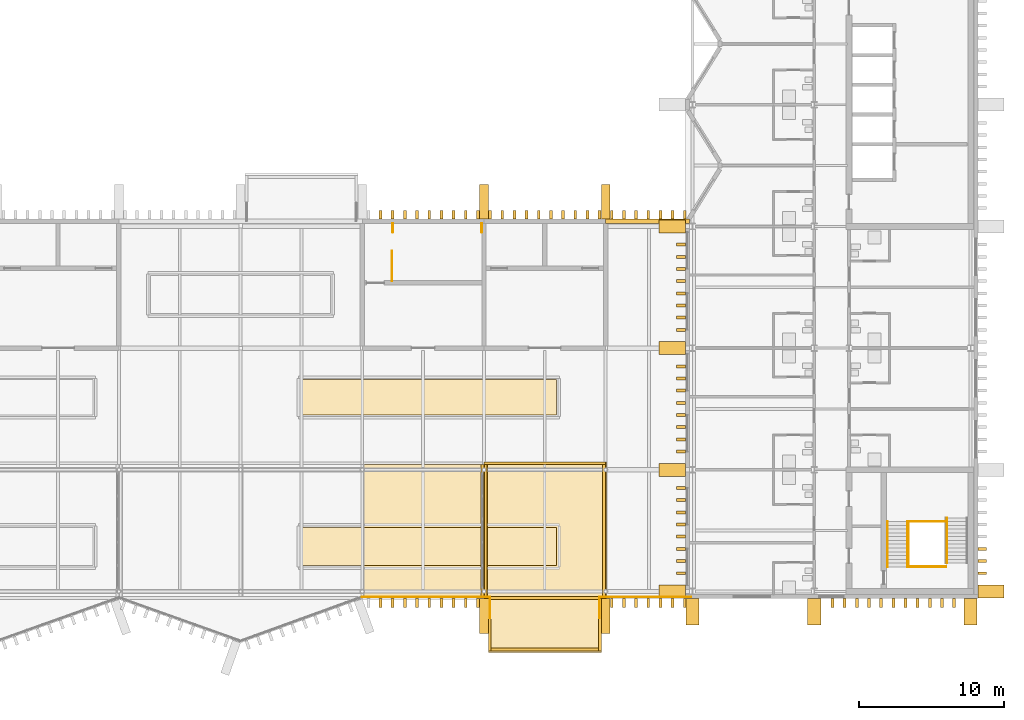
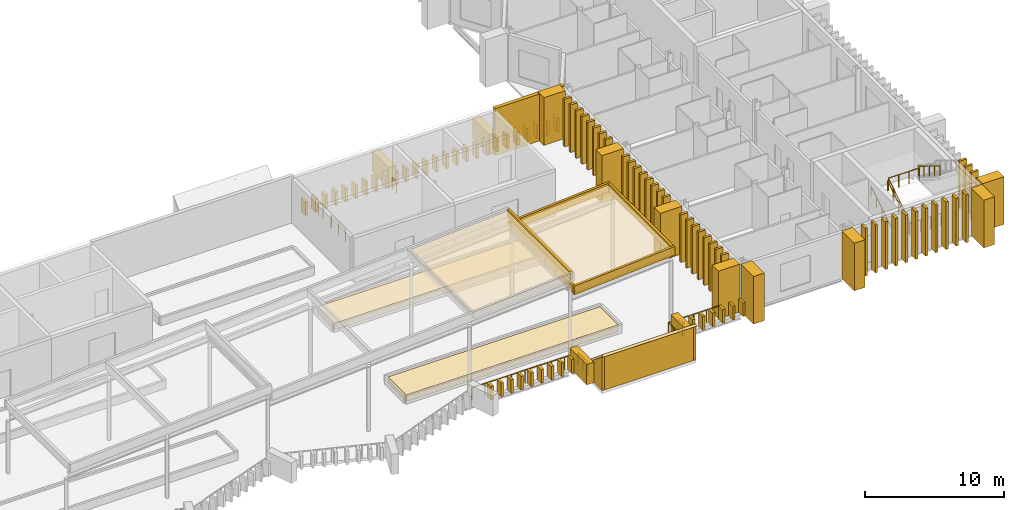
# One storey, part 49 of 51: 106 coverings, 13 railings.
"""IFC4 building model written with IfcOpenShell, lengths in metres."""

from ifc_helpers import new_model, si_unit, direction, frame, origin, origin_2d, place, context, subcontext, project, spatial, polyline, rectangle, circle, outline, extrude, material, layer, layer_set, type_object, element, save


model = new_model("IFC4")

# Units and contexts
model_context = context("Model", 3, precision=1e-05, world=origin(), true_north=direction((0.0, 1.0)))
body_context = subcontext(model_context, "Body", "Model", "MODEL_VIEW")
ifc_project = project(units=[si_unit("LENGTHUNIT", "METRE"), si_unit("AREAUNIT", "SQUARE_METRE"), si_unit("VOLUMEUNIT", "CUBIC_METRE"), si_unit("PLANEANGLEUNIT", "RADIAN"), si_unit("MASSUNIT", "GRAM", prefix="KILO")], contexts=[model_context])

# Site, building, storey
site_placement = place(None, origin())
site = spatial("IfcSite", under=ifc_project, at=site_placement, CompositionType="ELEMENT")
building_placement = place(site_placement, origin())
building = spatial("IfcBuilding", under=site, at=building_placement, Name="Cresset Court Congress Hotel", CompositionType="ELEMENT")
storey_placement = place(building_placement, frame((0.0, 0.0, 18.60009765625)))
storey = spatial("IfcBuildingStorey", under=building, at=storey_placement, Name="L04", CompositionType="ELEMENT", Elevation=18.60009765625)

# Railings
ifc_material_1 = material(Name="Steel and laminated glass", Category="steel")
railing_type_1 = type_object("IfcRailingType", Name="Guard 1100 steel and glass", PredefinedType="GUARDRAIL", material=ifc_material_1)
for number, where, name in (
    (1, (142.64990234375, 24.800048828125, 0.0), "Roof stair well guard 9"),
    (2, (136.500732421875, 24.800048828125, 0.0), "Roof stair well guard 10"),
):
    element("IfcRailing", number, at=place(storey_placement, frame(where)), inside=storey, type_object=railing_type_1, Name=name, PredefinedType="GUARDRAIL", context=body_context, shape_type="SweptSolid", body=[
        extrude(circle(Radius=0.02392578125, at=origin_2d()), frame((0.0, 0.0, 1.076171875), z_axis=(0.0, 1.0, 0.0), x_axis=(-1.0, 0.0, 0.0)), (0.0, 0.0, 1.0), 0.599853515625),
        extrude(circle(Radius=0.02099609375, at=origin_2d()), origin(), (0.0, 0.0, 1.0), 1.052001953125),
        extrude(circle(Radius=0.02099609375, at=origin_2d()), frame((0.0, 0.599853515625, 0.0)), (0.0, 0.0, 1.0), 1.052001953125),
    ])
railing_1_placement = place(storey_placement, frame((136.449951171875, 21.449951171875, 0.0)))
element("IfcRailing", 3, at=railing_1_placement, inside=storey, type_object=railing_type_1, Name="L04 ST-B5 top well guard 1", PredefinedType="GUARDRAIL", context=body_context, shape_type="SweptSolid", body=[
    extrude(circle(Radius=0.02392578125, at=origin_2d()), frame((0.0, 0.0, 1.076171875), z_axis=(0.0, 1.0, 0.0), x_axis=(-1.0, 0.0, 0.0)), (0.0, 0.0, 1.0), 2.050048828125),
    extrude(circle(Radius=0.02099609375, at=origin_2d()), origin(), (0.0, 0.0, 1.0), 1.052001953125),
    extrude(circle(Radius=0.02099609375, at=origin_2d()), frame((0.0, 1.02490234375, 0.0)), (0.0, 0.0, 1.0), 1.052001953125),
    extrude(circle(Radius=0.02099609375, at=origin_2d()), frame((0.0, 2.050048828125, 0.0)), (0.0, 0.0, 1.0), 1.052001953125),
])
ifc_material_2 = material(Name="Steel and laminated glass", Category="steel")
railing_type_2 = type_object("IfcRailingType", Name="Guard 1100 steel and glass external", PredefinedType="GUARDRAIL", material=ifc_material_2)
railing_2_placement = place(storey_placement, frame((143.219970703125, -1.820068359375, 0.0)))
element("IfcRailing", 4, at=railing_2_placement, inside=storey, type_object=railing_type_2, Name="Roof garden guard 1", PredefinedType="GUARDRAIL", context=body_context, shape_type="SweptSolid", body=[
    extrude(circle(Radius=0.02392578125, at=origin_2d()), frame((0.0, 0.0, 1.076171875), z_axis=(0.0, 1.0, 0.0), x_axis=(-1.0, 0.0, 0.0)), (0.0, 0.0, 1.0), 1.440185546875),
    extrude(circle(Radius=0.02099609375, at=origin_2d()), origin(), (0.0, 0.0, 1.0), 1.052001953125),
    extrude(circle(Radius=0.02099609375, at=origin_2d()), frame((0.0, 0.72021484375, 0.0)), (0.0, 0.0, 1.0), 1.052001953125),
    extrude(circle(Radius=0.02099609375, at=origin_2d()), frame((0.0, 1.440185546875, 0.0)), (0.0, 0.0, 1.0), 1.052001953125),
])
railing_3_placement = place(storey_placement, frame((134.37890625, -0.3798828125, 0.0)))
element("IfcRailing", 5, at=railing_3_placement, inside=storey, type_object=railing_type_2, Name="Roof garden guard 2", PredefinedType="GUARDRAIL", context=body_context, shape_type="SweptSolid", body=[
    extrude(circle(Radius=0.02392578125, at=origin_2d()), frame((0.0, 0.0, 1.076171875), z_axis=(1.0, 0.0, 0.0), x_axis=(0.0, 1.0, 0.0)), (0.0, 0.0, 1.0), 8.841064453125),
    extrude(circle(Radius=0.02099609375, at=origin_2d()), origin(), (0.0, 0.0, 1.0), 1.052001953125),
    extrude(circle(Radius=0.02099609375, at=origin_2d()), frame((1.105224609375, 0.0, 0.0)), (0.0, 0.0, 1.0), 1.052001953125),
    extrude(circle(Radius=0.02099609375, at=origin_2d()), frame((2.210205078125, 0.0, 0.0)), (0.0, 0.0, 1.0), 1.052001953125),
    extrude(circle(Radius=0.02099609375, at=origin_2d()), frame((3.3154296875, 0.0, 0.0)), (0.0, 0.0, 1.0), 1.052001953125),
    extrude(circle(Radius=0.02099609375, at=origin_2d()), frame((4.42041015625, 0.0, 0.0)), (0.0, 0.0, 1.0), 1.052001953125),
    extrude(circle(Radius=0.02099609375, at=origin_2d()), frame((5.525634765625, 0.0, 0.0)), (0.0, 0.0, 1.0), 1.052001953125),
    extrude(circle(Radius=0.02099609375, at=origin_2d()), frame((6.630859375, 0.0, 0.0)), (0.0, 0.0, 1.0), 1.052001953125),
    extrude(circle(Radius=0.02099609375, at=origin_2d()), frame((7.73583984375, 0.0, 0.0)), (0.0, 0.0, 1.0), 1.052001953125),
    extrude(circle(Radius=0.02099609375, at=origin_2d()), frame((8.841064453125, 0.0, 0.0)), (0.0, 0.0, 1.0), 1.052001953125),
])
railing_4_placement = place(storey_placement, frame((150.780029296875, -0.3798828125, 0.0)))
element("IfcRailing", 6, at=railing_4_placement, inside=storey, type_object=railing_type_2, Name="Roof garden guard 25", PredefinedType="GUARDRAIL", context=body_context, shape_type="SweptSolid", body=[
    extrude(circle(Radius=0.02392578125, at=origin_2d()), frame((0.0, 0.0, 1.076171875), z_axis=(1.0, 0.0, 0.0), x_axis=(0.0, 1.0, 0.0)), (0.0, 0.0, 1.0), 6.300048828125),
    extrude(circle(Radius=0.02099609375, at=origin_2d()), origin(), (0.0, 0.0, 1.0), 1.052001953125),
    extrude(circle(Radius=0.02099609375, at=origin_2d()), frame((1.050048828125, 0.0, 0.0)), (0.0, 0.0, 1.0), 1.052001953125),
    extrude(circle(Radius=0.02099609375, at=origin_2d()), frame((2.10009765625, 0.0, 0.0)), (0.0, 0.0, 1.0), 1.052001953125),
    extrude(circle(Radius=0.02099609375, at=origin_2d()), frame((3.14990234375, 0.0, 0.0)), (0.0, 0.0, 1.0), 1.052001953125),
    extrude(circle(Radius=0.02099609375, at=origin_2d()), frame((4.199951171875, 0.0, 0.0)), (0.0, 0.0, 1.0), 1.052001953125),
    extrude(circle(Radius=0.02099609375, at=origin_2d()), frame((5.25, 0.0, 0.0)), (0.0, 0.0, 1.0), 1.052001953125),
    extrude(circle(Radius=0.02099609375, at=origin_2d()), frame((6.300048828125, 0.0, 0.0)), (0.0, 0.0, 1.0), 1.052001953125),
])
railing_5_placement = place(storey_placement, frame((150.780029296875, -1.820068359375, 0.0)))
element("IfcRailing", 7, at=railing_5_placement, inside=storey, type_object=railing_type_2, Name="Roof garden guard 26", PredefinedType="GUARDRAIL", context=body_context, shape_type="SweptSolid", body=[
    extrude(circle(Radius=0.02392578125, at=origin_2d()), frame((0.0, 0.0, 1.076171875), z_axis=(0.0, 1.0, 0.0), x_axis=(-1.0, 0.0, 0.0)), (0.0, 0.0, 1.0), 1.440185546875),
    extrude(circle(Radius=0.02099609375, at=origin_2d()), origin(), (0.0, 0.0, 1.0), 1.052001953125),
    extrude(circle(Radius=0.02099609375, at=origin_2d()), frame((0.0, 0.72021484375, 0.0)), (0.0, 0.0, 1.0), 1.052001953125),
    extrude(circle(Radius=0.02099609375, at=origin_2d()), frame((0.0, 1.440185546875, 0.0)), (0.0, 0.0, 1.0), 1.052001953125),
])

# Coverings
ifc_material_3 = material(Name="Concrete C50", Category="concrete")
ifc_layer_1 = layer(ifc_material_3, 0.199951171875)
ifc_layer_set_1 = layer_set([ifc_layer_1], Name="Planter edge 200 precast")
covering_type_1 = type_object("IfcCoveringType", Name="Planter edge 200 precast", PredefinedType="USERDEFINED", material=ifc_layer_set_1)
covering_1_placement = place(storey_placement, frame((142.60009765625, -0.35009765625, 8.39990234375), z_axis=(-0.069429123991, 0.0, 0.997586886813), x_axis=(0.997586886813, 0.0, 0.069429123991)))
element("IfcCovering", 8, at=covering_1_placement, inside=storey, type_object=covering_type_1, Name="Planter edge plate 5 line 4", ObjectType="PLANTER EDGE", PredefinedType="USERDEFINED", context=body_context, shape_type="SweptSolid", body=[
    extrude(outline(polyline([(0.0, 0.0), (0.2004348438397402, 0.0), (0.2004348438397402, 9.10009765625), (0.0, 9.10009765625), (0.0, 0.0)])), origin(), (0.0, 0.0, -1.0), 0.75),
])
for number, where, z_axis, x_axis, name in (
    (9, (142.800048828125, -0.550048828125, 7.14990234375), (-0.069817009688, 0.0, 0.997559815329), (0.997559815329, 0.0, 0.069817009688), "Planter edge plate 6 S"),
    (10, (142.800048828125, 8.75, 7.14990234375), (-0.069817009688, 0.0, 0.997559815329), (0.997559815329, 0.0, 0.069817009688), "Planter edge plate 6 N"),
):
    element("IfcCovering", number, at=place(storey_placement, frame(where, z_axis=z_axis, x_axis=x_axis)), inside=storey, type_object=covering_type_1, Name=name, ObjectType="PLANTER EDGE", PredefinedType="USERDEFINED", context=body_context, shape_type="SweptSolid", body=[
        extrude(outline(polyline([(0.0, 0.0), (8.420449796269772, 0.0), (8.420449796269772, 0.19995117187499997), (0.0, 0.19995117187499997), (0.0, 0.0)])), origin(), (0.0, 0.0, -1.0), 0.75),
    ])
for number, where, z_axis, x_axis, name in (
    (11, (142.800048828125, -0.35009765625, 7.14990234375), (-0.069429123991, 0.0, 0.997586886813), (0.997586886813, 0.0, 0.069429123991), "Planter edge plate 6 line 1"),
    (12, (151.0, -0.35009765625, 7.723876953125), (-0.069429123991, 0.0, 0.997586886813), (0.997586886813, 0.0, 0.069429123991), "Planter edge plate 6 line 2"),
):
    element("IfcCovering", number, at=place(storey_placement, frame(where, z_axis=z_axis, x_axis=x_axis)), inside=storey, type_object=covering_type_1, Name=name, ObjectType="PLANTER EDGE", PredefinedType="USERDEFINED", context=body_context, shape_type="SweptSolid", body=[
        extrude(outline(polyline([(0.0, 0.0), (0.2004348438397402, 0.0), (0.2004348438397402, 9.10009765625), (0.0, 9.10009765625), (0.0, 0.0)])), origin(), (0.0, 0.0, -1.0), 0.75),
    ])
ifc_material_4 = material(Name="Planting soil")
ifc_layer_2 = layer(ifc_material_4, 0.60009765625)
ifc_layer_set_2 = layer_set([ifc_layer_2], Name="Planter soil bed 600")
covering_type_2 = type_object("IfcCoveringType", Name="Planter soil bed 600", PredefinedType="FLOORING", material=ifc_layer_set_2)
covering_2_placement = place(storey_placement, frame((134.5, -0.35009765625, 7.682861328125), z_axis=(-0.069845284619, 0.0, 0.997557836026), x_axis=(0.997557836026, 0.0, 0.069845284619)))
element("IfcCovering", 13, at=covering_2_placement, inside=storey, type_object=covering_type_2, Name="Planting bed plate 5 bay 3", PredefinedType="FLOORING", context=body_context, shape_type="SweptSolid", body=[
    extrude(outline(polyline([(0.0, 0.0), (8.11992785152201, 0.0), (8.11992785152201, 9.100097656250002), (0.0, 9.100097656250002), (0.0, 0.0)])), origin(), (0.0, 0.0, -1.0), 0.60009765625),
])
covering_3_placement = place(storey_placement, frame((143.0, -0.35009765625, 7.013916015625), z_axis=(-0.069836398408, 0.0, 0.997558458165), x_axis=(0.997558458165, 0.0, 0.069836398408)))
element("IfcCovering", 14, at=covering_3_placement, inside=storey, type_object=covering_type_2, Name="Planting bed plate 6 bay 1", PredefinedType="FLOORING", context=body_context, shape_type="SweptSolid", body=[
    extrude(outline(polyline([(0.0, 0.0), (8.019580140408426, 0.0), (8.019580140408426, 9.100097656250002), (0.0, 9.100097656250002), (0.0, 0.0)])), origin(), (0.0, 0.0, -1.0), 0.60009765625),
])
covering_4_placement = place(storey_placement, origin())
element("IfcCovering", 15, at=covering_4_placement, inside=storey, type_object=covering_type_2, Name="Planting bed 4", PredefinedType="FLOORING", context=body_context, shape_type="SweptSolid", body=[
    extrude(outline(polyline([(130.179931640625, 1.780029296875), (147.820068359375, 1.780029296875), (147.820068359375, 4.419921875), (130.179931640625, 4.419921875), (130.179931640625, 1.780029296875)])), origin(), (0.0, 0.0, 1.0), 0.599853515625),
])
covering_5_placement = place(storey_placement, origin())
element("IfcCovering", 16, at=covering_5_placement, inside=storey, type_object=covering_type_2, Name="Planting bed 8", PredefinedType="FLOORING", context=body_context, shape_type="SweptSolid", body=[
    extrude(outline(polyline([(130.179931640625, 12.179931640625), (147.820068359375, 12.179931640625), (147.820068359375, 14.6201171875), (130.179931640625, 14.6201171875), (130.179931640625, 12.179931640625)])), origin(), (0.0, 0.0, 1.0), 0.599853515625),
])
ifc_material_5 = material(Name="Precast concrete C50", Category="concrete")
covering_type_3 = type_object("IfcCoveringType", Name="Precast stone fin 200x600", PredefinedType="CLADDING", material=ifc_material_5)
for number, where, z_axis, x_axis, name in (
    (17, (177.199951171875, 1.260009765625, 0.0), (0.0, 0.0, 1.0), (1.0, 0.0, 0.0), "Fin E002"),
    (18, (177.199951171875, 2.10009765625, 0.0), (0.0, 0.0, 1.0), (1.0, 0.0, 0.0), "Fin E003"),
    (19, (177.199951171875, 2.93994140625, 0.0), (0.0, 0.0, 1.0), (1.0, 0.0, 0.0), "Fin E004"),
    (20, (156.39990234375, 1.260009765625, 0.0), (0.0, 0.0, 1.0), (1.0, 0.0, 0.0), "Fin W002"),
    (21, (156.39990234375, 2.10009765625, 0.0), (0.0, 0.0, 1.0), (1.0, 0.0, 0.0), "Fin W003"),
    (22, (156.39990234375, 2.93994140625, 0.0), (0.0, 0.0, 1.0), (1.0, 0.0, 0.0), "Fin W004"),
    (23, (156.39990234375, 3.780029296875, 0.0), (0.0, 0.0, 1.0), (1.0, 0.0, 0.0), "Fin W005"),
    (24, (156.39990234375, 4.6201171875, 0.0), (0.0, 0.0, 1.0), (1.0, 0.0, 0.0), "Fin W006"),
    (25, (156.39990234375, 5.4599609375, 0.0), (0.0, 0.0, 1.0), (1.0, 0.0, 0.0), "Fin W007"),
    (26, (156.39990234375, 6.300048828125, 0.0), (0.0, 0.0, 1.0), (1.0, 0.0, 0.0), "Fin W008"),
    (27, (156.39990234375, 7.139892578125, 0.0), (0.0, 0.0, 1.0), (1.0, 0.0, 0.0), "Fin W009"),
    (28, (156.39990234375, 9.659912109375, 0.0), (0.0, 0.0, 1.0), (1.0, 0.0, 0.0), "Fin W012"),
    (29, (156.39990234375, 10.5, 0.0), (0.0, 0.0, 1.0), (1.0, 0.0, 0.0), "Fin W013"),
    (30, (156.39990234375, 11.340087890625, 0.0), (0.0, 0.0, 1.0), (1.0, 0.0, 0.0), "Fin W014"),
    (31, (156.39990234375, 12.179931640625, 0.0), (0.0, 0.0, 1.0), (1.0, 0.0, 0.0), "Fin W015"),
    (32, (156.39990234375, 13.02001953125, 0.0), (0.0, 0.0, 1.0), (1.0, 0.0, 0.0), "Fin W016"),
    (33, (156.39990234375, 13.860107421875, 0.0), (0.0, 0.0, 1.0), (1.0, 0.0, 0.0), "Fin W017"),
    (34, (156.39990234375, 14.699951171875, 0.0), (0.0, 0.0, 1.0), (1.0, 0.0, 0.0), "Fin W018"),
    (35, (156.39990234375, 15.5400390625, 0.0), (0.0, 0.0, 1.0), (1.0, 0.0, 0.0), "Fin W019"),
    (36, (156.39990234375, 18.06005859375, 0.0), (0.0, 0.0, 1.0), (1.0, 0.0, 0.0), "Fin W022"),
    (37, (156.39990234375, 18.89990234375, 0.0), (0.0, 0.0, 1.0), (1.0, 0.0, 0.0), "Fin W023"),
    (38, (156.39990234375, 19.739990234375, 0.0), (0.0, 0.0, 1.0), (1.0, 0.0, 0.0), "Fin W024"),
    (39, (156.39990234375, 20.580078125, 0.0), (0.0, 0.0, 1.0), (1.0, 0.0, 0.0), "Fin W025"),
    (40, (156.39990234375, 21.419921875, 0.0), (0.0, 0.0, 1.0), (1.0, 0.0, 0.0), "Fin W026"),
    (41, (156.39990234375, 22.260009765625, 0.0), (0.0, 0.0, 1.0), (1.0, 0.0, 0.0), "Fin W027"),
    (42, (156.39990234375, 23.10009765625, 0.0), (0.0, 0.0, 1.0), (1.0, 0.0, 0.0), "Fin W028"),
    (43, (156.39990234375, 23.93994140625, 0.0), (0.0, 0.0, 1.0), (1.0, 0.0, 0.0), "Fin W029"),
):
    element("IfcCovering", number, at=place(storey_placement, frame(where, z_axis=z_axis, x_axis=x_axis)), inside=storey, type_object=covering_type_3, Name=name, PredefinedType="CLADDING", context=body_context, shape_type="SweptSolid", body=[
        extrude(rectangle(XDim=0.60009765625, YDim=0.199951171875, at=origin_2d()), origin(), (0.0, 0.0, 1.0), 4.199951171875),
    ])
for number, where, z_axis, x_axis, name in (
    (44, (166.860107421875, -0.800048828125, 0.0), (0.0, 0.0, 1.0), (1.0, 0.0, 0.0), "Fin S012"),
    (45, (167.699951171875, -0.800048828125, 0.0), (0.0, 0.0, 1.0), (1.0, 0.0, 0.0), "Fin S013"),
    (46, (168.5400390625, -0.800048828125, 0.0), (0.0, 0.0, 1.0), (1.0, 0.0, 0.0), "Fin S014"),
    (47, (169.3798828125, -0.800048828125, 0.0), (0.0, 0.0, 1.0), (1.0, 0.0, 0.0), "Fin S015"),
    (48, (170.219970703125, -0.800048828125, 0.0), (0.0, 0.0, 1.0), (1.0, 0.0, 0.0), "Fin S016"),
    (49, (171.06005859375, -0.800048828125, 0.0), (0.0, 0.0, 1.0), (1.0, 0.0, 0.0), "Fin S017"),
    (50, (171.89990234375, -0.800048828125, 0.0), (0.0, 0.0, 1.0), (1.0, 0.0, 0.0), "Fin S018"),
    (51, (172.739990234375, -0.800048828125, 0.0), (0.0, 0.0, 1.0), (1.0, 0.0, 0.0), "Fin S019"),
    (52, (173.580078125, -0.800048828125, 0.0), (0.0, 0.0, 1.0), (1.0, 0.0, 0.0), "Fin S020"),
    (53, (174.419921875, -0.800048828125, 0.0), (0.0, 0.0, 1.0), (1.0, 0.0, 0.0), "Fin S021"),
    (54, (175.260009765625, -0.800048828125, 0.0), (0.0, 0.0, 1.0), (1.0, 0.0, 0.0), "Fin S022"),
):
    element("IfcCovering", number, at=place(storey_placement, frame(where, z_axis=z_axis, x_axis=x_axis)), inside=storey, type_object=covering_type_3, Name=name, PredefinedType="CLADDING", context=body_context, shape_type="SweptSolid", body=[
        extrude(rectangle(XDim=0.199951171875, YDim=0.60009765625, at=origin_2d()), origin(), (0.0, 0.0, 1.0), 4.199951171875),
    ])
ifc_material_6 = material(Name="Precast concrete C50", Category="concrete")
covering_type_4 = type_object("IfcCoveringType", Name="Precast stone fin 200x600 variant 1", PredefinedType="CLADDING", material=ifc_material_6)
for number, where, z_axis, x_axis, name in (
    (55, (135.659912109375, -0.800048828125, 0.0), (0.0, 0.0, 1.0), (1.0, 0.0, 0.0), "Fin S04-151"),
    (56, (136.5, -0.800048828125, 0.0), (0.0, 0.0, 1.0), (1.0, 0.0, 0.0), "Fin S04-152"),
    (57, (137.340087890625, -0.800048828125, 0.0), (0.0, 0.0, 1.0), (1.0, 0.0, 0.0), "Fin S04-153"),
    (58, (138.179931640625, -0.800048828125, 0.0), (0.0, 0.0, 1.0), (1.0, 0.0, 0.0), "Fin S04-154"),
    (59, (139.02001953125, -0.800048828125, 0.0), (0.0, 0.0, 1.0), (1.0, 0.0, 0.0), "Fin S04-155"),
    (60, (139.860107421875, -0.800048828125, 0.0), (0.0, 0.0, 1.0), (1.0, 0.0, 0.0), "Fin S04-156"),
    (61, (140.699951171875, -0.800048828125, 0.0), (0.0, 0.0, 1.0), (1.0, 0.0, 0.0), "Fin S04-157"),
    (62, (141.5400390625, -0.800048828125, 0.0), (0.0, 0.0, 1.0), (1.0, 0.0, 0.0), "Fin S04-158"),
    (63, (142.3798828125, -0.800048828125, 0.0), (0.0, 0.0, 1.0), (1.0, 0.0, 0.0), "Fin S04-159"),
    (64, (151.6201171875, -0.800048828125, 0.0), (0.0, 0.0, 1.0), (1.0, 0.0, 0.0), "Fin S04-170"),
    (65, (152.4599609375, -0.800048828125, 0.0), (0.0, 0.0, 1.0), (1.0, 0.0, 0.0), "Fin S04-171"),
    (66, (153.300048828125, -0.800048828125, 0.0), (0.0, 0.0, 1.0), (1.0, 0.0, 0.0), "Fin S04-172"),
    (67, (154.139892578125, -0.800048828125, 0.0), (0.0, 0.0, 1.0), (1.0, 0.0, 0.0), "Fin S04-173"),
    (68, (154.97998046875, -0.800048828125, 0.0), (0.0, 0.0, 1.0), (1.0, 0.0, 0.0), "Fin S04-174"),
    (69, (155.820068359375, -0.800048828125, 0.0), (0.0, 0.0, 1.0), (1.0, 0.0, 0.0), "Fin S04-175"),
    (70, (156.659912109375, -0.800048828125, 0.0), (0.0, 0.0, 1.0), (1.0, 0.0, 0.0), "Fin S04-176"),
    (71, (135.659912109375, 26.0, 0.0), (0.0, 0.0, 1.0), (1.0, 0.0, 0.0), "Fin N04-151"),
    (72, (136.5, 26.0, 0.0), (0.0, 0.0, 1.0), (1.0, 0.0, 0.0), "Fin N04-152"),
    (73, (137.340087890625, 26.0, 0.0), (0.0, 0.0, 1.0), (1.0, 0.0, 0.0), "Fin N04-153"),
    (74, (138.179931640625, 26.0, 0.0), (0.0, 0.0, 1.0), (1.0, 0.0, 0.0), "Fin N04-154"),
    (75, (139.02001953125, 26.0, 0.0), (0.0, 0.0, 1.0), (1.0, 0.0, 0.0), "Fin N04-155"),
    (76, (139.860107421875, 26.0, 0.0), (0.0, 0.0, 1.0), (1.0, 0.0, 0.0), "Fin N04-156"),
    (77, (140.699951171875, 26.0, 0.0), (0.0, 0.0, 1.0), (1.0, 0.0, 0.0), "Fin N04-157"),
    (78, (141.5400390625, 26.0, 0.0), (0.0, 0.0, 1.0), (1.0, 0.0, 0.0), "Fin N04-158"),
    (79, (142.3798828125, 26.0, 0.0), (0.0, 0.0, 1.0), (1.0, 0.0, 0.0), "Fin N04-159"),
    (80, (143.219970703125, 26.0, 0.0), (0.0, 0.0, 1.0), (1.0, 0.0, 0.0), "Fin N04-160"),
    (81, (144.06005859375, 26.0, 0.0), (0.0, 0.0, 1.0), (1.0, 0.0, 0.0), "Fin N04-161"),
    (82, (144.89990234375, 26.0, 0.0), (0.0, 0.0, 1.0), (1.0, 0.0, 0.0), "Fin N04-162"),
    (83, (145.739990234375, 26.0, 0.0), (0.0, 0.0, 1.0), (1.0, 0.0, 0.0), "Fin N04-163"),
    (84, (146.580078125, 26.0, 0.0), (0.0, 0.0, 1.0), (1.0, 0.0, 0.0), "Fin N04-164"),
    (85, (147.419921875, 26.0, 0.0), (0.0, 0.0, 1.0), (1.0, 0.0, 0.0), "Fin N04-165"),
    (86, (148.260009765625, 26.0, 0.0), (0.0, 0.0, 1.0), (1.0, 0.0, 0.0), "Fin N04-166"),
    (87, (149.10009765625, 26.0, 0.0), (0.0, 0.0, 1.0), (1.0, 0.0, 0.0), "Fin N04-167"),
    (88, (149.93994140625, 26.0, 0.0), (0.0, 0.0, 1.0), (1.0, 0.0, 0.0), "Fin N04-168"),
    (89, (150.780029296875, 26.0, 0.0), (0.0, 0.0, 1.0), (1.0, 0.0, 0.0), "Fin N04-169"),
    (90, (151.6201171875, 26.0, 0.0), (0.0, 0.0, 1.0), (1.0, 0.0, 0.0), "Fin N04-170"),
    (91, (152.4599609375, 26.0, 0.0), (0.0, 0.0, 1.0), (1.0, 0.0, 0.0), "Fin N04-171"),
    (92, (153.300048828125, 26.0, 0.0), (0.0, 0.0, 1.0), (1.0, 0.0, 0.0), "Fin N04-172"),
    (93, (154.139892578125, 26.0, 0.0), (0.0, 0.0, 1.0), (1.0, 0.0, 0.0), "Fin N04-173"),
    (94, (154.97998046875, 26.0, 0.0), (0.0, 0.0, 1.0), (1.0, 0.0, 0.0), "Fin N04-174"),
    (95, (155.820068359375, 26.0, 0.0), (0.0, 0.0, 1.0), (1.0, 0.0, 0.0), "Fin N04-175"),
    (96, (156.659912109375, 26.0, 0.0), (0.0, 0.0, 1.0), (1.0, 0.0, 0.0), "Fin N04-176"),
):
    element("IfcCovering", number, at=place(storey_placement, frame(where, z_axis=z_axis, x_axis=x_axis)), inside=storey, type_object=covering_type_4, Name=name, PredefinedType="CLADDING", context=body_context, shape_type="SweptSolid", body=[
        extrude(rectangle(XDim=0.199951171875, YDim=0.60009765625, at=origin_2d()), origin(), (0.0, 0.0, 1.0), 1.199951171875),
    ])
ifc_material_7 = material(Name="Precast concrete C50", Category="concrete")
ifc_layer_3 = layer(ifc_material_7, 0.199951171875)
ifc_layer_set_3 = layer_set([ifc_layer_3], Name="Precast stone hood cheek 200")
covering_type_5 = type_object("IfcCoveringType", Name="Precast stone hood cheek 200", PredefinedType="CLADDING", material=ifc_layer_set_3)
for number, where, z_axis, x_axis, name in (
    (97, (143.300048828125, -0.5, 0.0), (1.0, 0.0, 0.0), (0.0, -0.768229820104, 0.640174150918), "Hood cheek S16a"),
    (98, (150.89990234375, -0.5, 0.0), (1.0, 0.0, 0.0), (0.0, -0.768229820104, 0.640174150918), "Hood cheek S16b"),
):
    element("IfcCovering", number, at=place(storey_placement, frame(where, z_axis=z_axis, x_axis=x_axis)), inside=storey, type_object=covering_type_5, Name=name, PredefinedType="CLADDING", context=body_context, shape_type="SweptSolid", body=[
        extrude(outline(polyline([(0.0, 0.0), (4.686224827570349, 0.0), (2.7657023748167964, 2.304689460311189), (0.0, 0.0)])), origin(), (0.0, 0.0, -1.0), 0.199951171875),
    ])
ifc_material_8 = material(Name="Precast concrete C50", Category="concrete")
ifc_layer_4 = layer(ifc_material_8, 0.199951171875)
ifc_layer_set_4 = layer_set([ifc_layer_4], Name="Precast stone hood fascia 200")
covering_type_6 = type_object("IfcCoveringType", Name="Precast stone hood fascia 200", PredefinedType="CLADDING", material=ifc_layer_set_4)
covering_6_placement = place(storey_placement, frame((147.0, -4.0, 0.0), z_axis=(0.0, 0.0, 1.0), x_axis=(1.0, 0.0, 0.0)))
element("IfcCovering", 99, at=covering_6_placement, inside=storey, type_object=covering_type_6, Name="Hood fascia S16", PredefinedType="CLADDING", context=body_context, shape_type="SweptSolid", body=[
    extrude(rectangle(XDim=7.39990234375, YDim=0.199951171875, at=origin_2d()), origin(), (0.0, 0.0, 1.0), 3.0),
])
ifc_material_9 = material(Name="Precast concrete C50", Category="concrete")
covering_type_7 = type_object("IfcCoveringType", Name="Precast stone pier 600x2400", PredefinedType="CLADDING", material=ifc_material_9)
for number, where, z_axis, x_axis, name in (
    (100, (142.800048828125, -1.699951171875, 0.0), (0.0, 0.0, 1.0), (1.0, 0.0, 0.0), "Pier S04-16"),
    (101, (151.199951171875, -1.699951171875, 0.0), (0.0, 0.0, 1.0), (1.0, 0.0, 0.0), "Pier S04-17"),
    (102, (142.800048828125, 26.89990234375, 0.0), (0.0, 0.0, 1.0), (1.0, 0.0, 0.0), "Pier N04-16"),
    (103, (151.199951171875, 26.89990234375, 0.0), (0.0, 0.0, 1.0), (1.0, 0.0, 0.0), "Pier N04-17"),
):
    element("IfcCovering", number, at=place(storey_placement, frame(where, z_axis=z_axis, x_axis=x_axis)), inside=storey, type_object=covering_type_7, Name=name, PredefinedType="CLADDING", context=body_context, shape_type="SweptSolid", body=[
        extrude(rectangle(XDim=0.60009765625, YDim=2.39990234375, at=origin_2d()), origin(), (0.0, 0.0, 1.0), 1.800048828125),
    ])
ifc_material_10 = material(Name="Precast concrete C50", Category="concrete")
covering_type_8 = type_object("IfcCoveringType", Name="Precast stone pier 900x1800", PredefinedType="CLADDING", material=ifc_material_10)
for number, where, z_axis, x_axis, name in (
    (104, (177.800048828125, 0.0, 0.0), (0.0, 0.0, 1.0), (1.0, 0.0, 0.0), "Pier E01"),
    (105, (155.800048828125, 0.0, 0.0), (0.0, 0.0, 1.0), (1.0, 0.0, 0.0), "Pier W01"),
    (106, (155.800048828125, 8.39990234375, 0.0), (0.0, 0.0, 1.0), (1.0, 0.0, 0.0), "Pier W02"),
    (107, (155.800048828125, 16.800048828125, 0.0), (0.0, 0.0, 1.0), (1.0, 0.0, 0.0), "Pier W03"),
    (108, (155.800048828125, 25.199951171875, 0.0), (0.0, 0.0, 1.0), (1.0, 0.0, 0.0), "Pier W04"),
):
    element("IfcCovering", number, at=place(storey_placement, frame(where, z_axis=z_axis, x_axis=x_axis)), inside=storey, type_object=covering_type_8, Name=name, PredefinedType="CLADDING", context=body_context, shape_type="SweptSolid", body=[
        extrude(rectangle(XDim=1.800048828125, YDim=0.89990234375, at=origin_2d()), origin(), (0.0, 0.0, 1.0), 4.199951171875),
    ])
for number, where, z_axis, x_axis, name in (
    (109, (157.199951171875, -1.39990234375, 0.0), (0.0, 0.0, 1.0), (1.0, 0.0, 0.0), "Pier S01"),
    (110, (165.60009765625, -1.39990234375, 0.0), (0.0, 0.0, 1.0), (1.0, 0.0, 0.0), "Pier S02"),
    (111, (176.39990234375, -1.39990234375, 0.0), (0.0, 0.0, 1.0), (1.0, 0.0, 0.0), "Pier S03"),
):
    element("IfcCovering", number, at=place(storey_placement, frame(where, z_axis=z_axis, x_axis=x_axis)), inside=storey, type_object=covering_type_8, Name=name, PredefinedType="CLADDING", context=body_context, shape_type="SweptSolid", body=[
        extrude(rectangle(XDim=0.89990234375, YDim=1.800048828125, at=origin_2d()), origin(), (0.0, 0.0, 1.0), 4.199951171875),
    ])
ifc_material_11 = material(Name="Concrete C50", Category="concrete")
ifc_layer_5 = layer(ifc_material_11, 0.300048828125)
ifc_layer_set_5 = layer_set([ifc_layer_5], Name="Precast stone roof screen 300")
covering_type_9 = type_object("IfcCoveringType", Name="Precast stone roof screen 300", PredefinedType="CLADDING", material=ifc_layer_set_5)
covering_7_placement = place(storey_placement, frame((154.10009765625, 25.550048828125, 0.0), z_axis=(0.0, 0.0, 1.0), x_axis=(1.0, 0.0, 0.0)))
element("IfcCovering", 112, at=covering_7_placement, inside=storey, type_object=covering_type_9, Name="Roof screen 6", PredefinedType="CLADDING", context=body_context, shape_type="SweptSolid", body=[
    extrude(rectangle(XDim=5.800048828125, YDim=0.300048828125, at=origin_2d()), origin(), (0.0, 0.0, 1.0), 4.139892578125),
])

# Railings
ifc_material_12 = material(Name="Stainless steel", Category="steel")
railing_type_3 = type_object("IfcRailingType", Name="Stair guard 1100", PredefinedType="GUARDRAIL", material=ifc_material_12)
railing_6_placement = place(storey_placement, frame((172.10009765625, 1.699951171875, 0.161376953125)))
element("IfcRailing", 113, at=railing_6_placement, inside=storey, type_object=railing_type_3, Name="Guard A1 L04", PredefinedType="GUARDRAIL", context=body_context, shape_type="SweptSolid", body=[
    extrude(circle(Radius=0.02392578125, at=origin_2d()), frame((0.0, 0.0, 1.076171875), z_axis=(0.0, 0.849414166554, 0.527726798313), x_axis=(-1.0, 0.0, 0.0)), (0.0, 0.0, 1.0), 3.67333984375),
    extrude(circle(Radius=0.02099609375, at=origin_2d()), origin(), (0.0, 0.0, 1.0), 1.052001953125),
    extrude(circle(Radius=0.02099609375, at=origin_2d()), frame((0.0, 0.780029296875, 0.484619140625)), (0.0, 0.0, 1.0), 1.052001953125),
    extrude(circle(Radius=0.02099609375, at=origin_2d()), frame((0.0, 1.56005859375, 0.96923828125)), (0.0, 0.0, 1.0), 1.052001953125),
    extrude(circle(Radius=0.02099609375, at=origin_2d()), frame((0.0, 2.340087890625, 1.453857421875)), (0.0, 0.0, 1.0), 1.052001953125),
    extrude(circle(Radius=0.02099609375, at=origin_2d()), frame((0.0, 3.1201171875, 1.9384765625)), (0.0, 0.0, 1.0), 1.052001953125),
])
for number, where, name in (
    (114, (172.10009765625, 1.699951171875, 0.0), "Guard A1 L04"),
    (115, (172.10009765625, 4.820068359375, 2.099853515625), "Guard A1 L04"),
):
    element("IfcRailing", number, at=place(storey_placement, frame(where)), inside=storey, type_object=railing_type_3, Name=name, PredefinedType="GUARDRAIL", context=body_context, shape_type="SweptSolid", body=[
        extrude(circle(Radius=0.02392578125, at=origin_2d()), frame((0.0, 0.0, 1.076171875), z_axis=(1.0, 0.0, 0.0), x_axis=(0.0, 1.0, 0.0)), (0.0, 0.0, 1.0), 2.599853515625),
        extrude(circle(Radius=0.02099609375, at=origin_2d()), origin(), (0.0, 0.0, 1.0), 1.052001953125),
        extrude(circle(Radius=0.02099609375, at=origin_2d()), frame((0.86669921875, 0.0, 0.0)), (0.0, 0.0, 1.0), 1.052001953125),
        extrude(circle(Radius=0.02099609375, at=origin_2d()), frame((1.733154296875, 0.0, 0.0)), (0.0, 0.0, 1.0), 1.052001953125),
        extrude(circle(Radius=0.02099609375, at=origin_2d()), frame((2.599853515625, 0.0, 0.0)), (0.0, 0.0, 1.0), 1.052001953125),
    ])
ifc_material_13 = material(Name="Stainless steel", Category="steel")
railing_type_4 = type_object("IfcRailingType", Name="Stair handrail 900", PredefinedType="HANDRAIL", material=ifc_material_13)
for number, where, name in (
    (116, (170.659912109375, 1.699951171875, 0.161376953125), "Handrail A1 L04"),
    (117, (172.0400390625, 1.699951171875, 0.161376953125), "Handrail A1 L04"),
):
    element("IfcRailing", number, at=place(storey_placement, frame(where)), inside=storey, type_object=railing_type_4, Name=name, PredefinedType="HANDRAIL", context=body_context, shape_type="SweptSolid", body=[
        extrude(circle(Radius=0.02392578125, at=origin_2d()), frame((0.0, 0.0, 0.8759765625), z_axis=(0.0, 0.849414166554, 0.527726798313), x_axis=(-1.0, 0.0, 0.0)), (0.0, 0.0, 1.0), 3.67333984375),
        extrude(circle(Radius=0.02099609375, at=origin_2d()), origin(), (0.0, 0.0, 1.0), 0.851806640625),
        extrude(circle(Radius=0.02099609375, at=origin_2d()), frame((0.0, 0.780029296875, 0.484619140625)), (0.0, 0.0, 1.0), 0.851806640625),
        extrude(circle(Radius=0.02099609375, at=origin_2d()), frame((0.0, 1.56005859375, 0.96923828125)), (0.0, 0.0, 1.0), 0.851806640625),
        extrude(circle(Radius=0.02099609375, at=origin_2d()), frame((0.0, 2.340087890625, 1.453857421875)), (0.0, 0.0, 1.0), 0.851806640625),
        extrude(circle(Radius=0.02099609375, at=origin_2d()), frame((0.0, 3.1201171875, 1.9384765625)), (0.0, 0.0, 1.0), 0.851806640625),
    ])
railing_7_placement = place(storey_placement, frame((174.760009765625, 5.080078125, 2.261474609375)))
element("IfcRailing", 118, at=railing_7_placement, inside=storey, type_object=railing_type_4, Name="Handrail A1 L04", PredefinedType="HANDRAIL", context=body_context, shape_type="SweptSolid", body=[
    extrude(circle(Radius=0.02392578125, at=origin_2d()), frame((0.0, 0.0, 0.8759765625), z_axis=(0.0, -0.849414166554, 0.527726798313), x_axis=(1.0, 0.0, 0.0)), (0.0, 0.0, 1.0), 3.67333984375),
    extrude(circle(Radius=0.02099609375, at=origin_2d()), origin(), (0.0, 0.0, 1.0), 0.851806640625),
    extrude(circle(Radius=0.02099609375, at=origin_2d()), frame((0.0, -0.780029296875, 0.484619140625)), (0.0, 0.0, 1.0), 0.851806640625),
    extrude(circle(Radius=0.02099609375, at=origin_2d()), frame((0.0, -1.56005859375, 0.96923828125)), (0.0, 0.0, 1.0), 0.851806640625),
    extrude(circle(Radius=0.02099609375, at=origin_2d()), frame((0.0, -2.340087890625, 1.453857421875)), (0.0, 0.0, 1.0), 0.851806640625),
    extrude(circle(Radius=0.02099609375, at=origin_2d()), frame((0.0, -3.1201171875, 1.9384765625)), (0.0, 0.0, 1.0), 0.851806640625),
])

# Covering
ifc_material_14 = material(Name="Titanium-zinc standing seam roof panel")
ifc_layer_6 = layer(ifc_material_14, 0.199951171875)
ifc_layer_set_6 = layer_set([ifc_layer_6], Name="Zinc hood roof plate 200")
covering_type_10 = type_object("IfcCoveringType", Name="Zinc hood roof plate 200", PredefinedType="CLADDING", material=ifc_layer_set_6)
covering_8_placement = place(storey_placement, frame((143.10009765625, -0.5, 0.199951171875), z_axis=(0.0, 0.640174150918, 0.768229820104), x_axis=(1.0, 0.0, 0.0)))
element("IfcCovering", 119, at=covering_8_placement, inside=storey, type_object=covering_type_10, Name="Hood roof S16", PredefinedType="CLADDING", context=body_context, shape_type="SweptSolid", body=[
    extrude(outline(polyline([(0.0, 0.0), (7.7998046875, 0.0), (7.7998046875, -4.686224827570348), (0.0, -4.686224827570348), (0.0, 0.0)])), origin(), (0.0, 0.0, -1.0), 0.199951171875),
])

save(model, "model.ifc")
